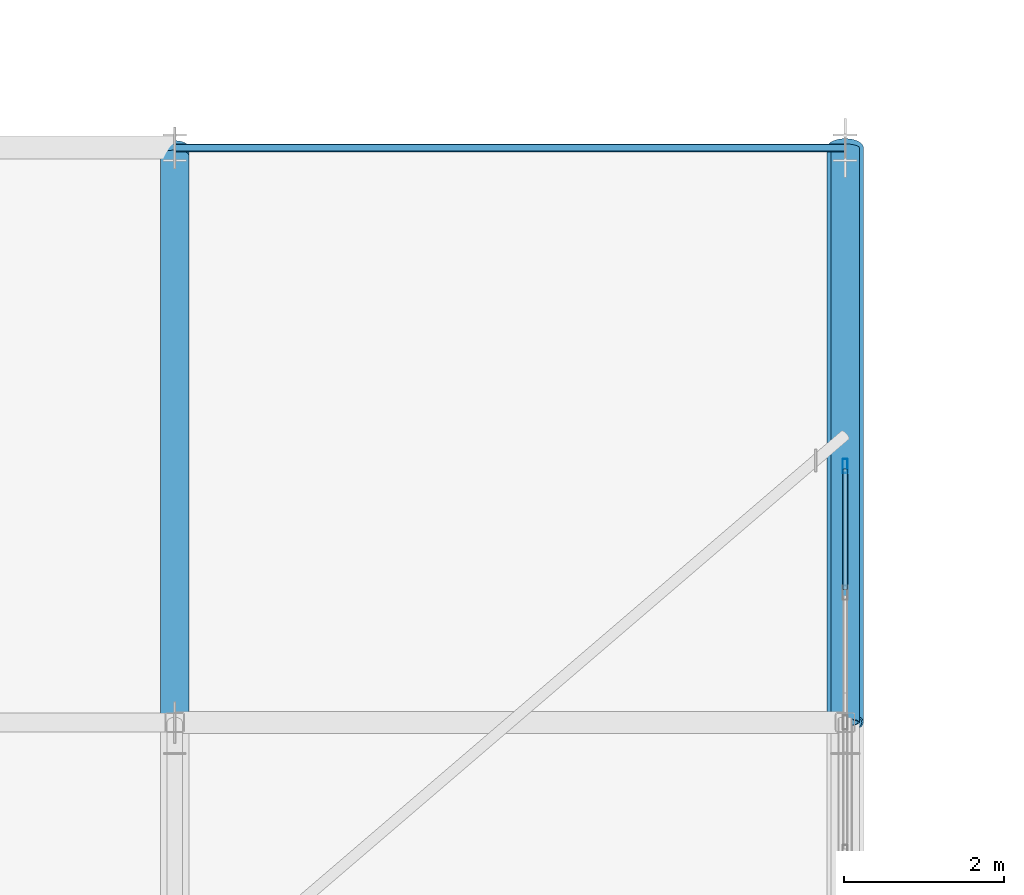
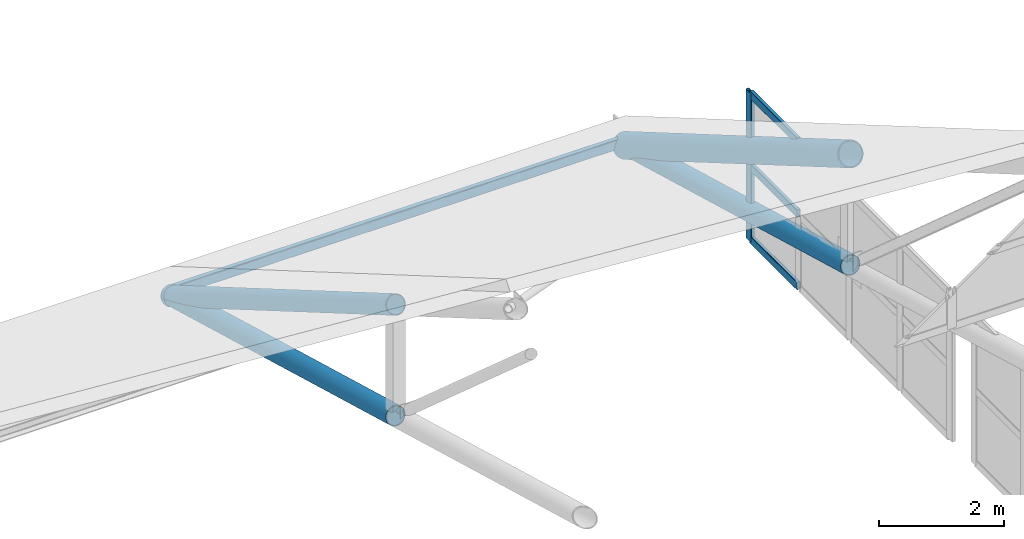
# One storey, part 24 of 54: 9 members, 1 element without a shape of its own.
"""IFC4 building model written with IfcOpenShell, lengths in metres."""

from ifc_helpers import new_model, si_unit, direction, frame, origin, origin_2d, place, context, subcontext, project, spatial, hollow_rectangle, hollow_circle, extrude, material, layer, layer_set, material_profile, profile_set, type_object, element, aggregate, save


model = new_model("IFC4")

# Units and contexts
model_context = context("Model", 3, precision=1e-05, world=origin(), true_north=direction((0.0, 1.0)))
body_context = subcontext(model_context, "Body", "Model", "MODEL_VIEW")
ifc_project = project(units=[si_unit("LENGTHUNIT", "METRE"), si_unit("AREAUNIT", "SQUARE_METRE"), si_unit("VOLUMEUNIT", "CUBIC_METRE"), si_unit("PLANEANGLEUNIT", "RADIAN"), si_unit("MASSUNIT", "GRAM", prefix="KILO")], contexts=[model_context])

# Site, building, storey
site_placement = place(None, origin())
site = spatial("IfcSite", under=ifc_project, at=site_placement, CompositionType="ELEMENT")
building_placement = place(site_placement, origin())
building = spatial("IfcBuilding", under=site, at=building_placement, Name="Zulmaris Art Gallery", CompositionType="ELEMENT")
storey_placement = place(building_placement, frame((0.0, 0.0, 26.39990234375)))
storey = spatial("IfcBuildingStorey", under=building, at=storey_placement, Name="L05", CompositionType="ELEMENT", Elevation=26.39990234375)

# Curtain wall, members
ifc_material_1 = material(Name="Pitched Roof North-Light Clerestory Wall", Category="aluminium")
ifc_layer = layer(ifc_material_1, 0.179931640625)
ifc_layer_set = layer_set([ifc_layer], Name="Pitched Roof North-Light Clerestory Wall")
curtain_wall_type = type_object("IfcCurtainWallType", Name="CW-CW05", PredefinedType="NOTDEFINED", material=ifc_layer_set)
curtain_wall_placement = place(storey_placement, origin())
curtain_wall = element("IfcCurtainWall", 1, at=curtain_wall_placement, inside=storey, type_object=curtain_wall_type, Name="L05 curtain wall 43", PredefinedType="NOTDEFINED")
ifc_material_2 = material(Name="Anodised Bronze Aluminium", Category="aluminium")
ifc_material_profile_1 = material_profile(ifc_material_2, hollow_rectangle(XDim=0.06494140625, YDim=0.179931640625, WallThickness=0.00390625, InnerFilletRadius=0.006103515625, OuterFilletRadius=0.010009765625, at=origin_2d()), Name="ALU 65x180x4")
ifc_profile_set_1 = profile_set([ifc_material_profile_1], Name="Anodised Bronze Aluminium")
member_type_1 = type_object("IfcMemberType", Name="CWMUL-01", PredefinedType="MULLION", material=ifc_profile_set_1)
member_1_placement = place(storey_placement, frame((82.800048828125, 46.41259765625, 0.0), z_axis=(0.0, 0.0, 1.0), x_axis=(-1.0, 0.0, 0.0)))
member_1 = element("IfcMember", 2, at=member_1_placement, type_object=member_type_1, Name="CW05 mullion 5", PredefinedType="MULLION", context=body_context, shape_type="SweptSolid", body=[
    extrude(hollow_rectangle(XDim=0.06494140625, YDim=0.179931640625, WallThickness=0.00390625, InnerFilletRadius=0.006103515625, OuterFilletRadius=0.010009765625, at=origin_2d()), origin(), (0.0, 0.0, 1.0), 2.900146484375),
])
ifc_material_profile_2 = material_profile(ifc_material_2, hollow_rectangle(XDim=0.06494140625, YDim=0.14990234375, WallThickness=0.00390625, InnerFilletRadius=0.006103515625, OuterFilletRadius=0.010009765625, at=origin_2d()), Name="ALU 65x150x4")
ifc_profile_set_2 = profile_set([ifc_material_profile_2], Name="Anodised Bronze Aluminium")
member_type_2 = type_object("IfcMemberType", Name="CWTRN-01", PredefinedType="USERDEFINED", material=ifc_profile_set_2)
member_2_placement = place(storey_placement, frame((82.800048828125, 44.862548828125, 0.03759765625), z_axis=(0.0, 1.0, 0.0), x_axis=(-1.0, 0.0, 0.0)))
member_2 = element("IfcMember", 3, at=member_2_placement, type_object=member_type_2, Name="CW05 transom 4.1", ObjectType="TRANSOM", PredefinedType="USERDEFINED", context=body_context, shape_type="SweptSolid", body=[
    extrude(hollow_rectangle(XDim=0.06494140625, YDim=0.14990234375, WallThickness=0.00390625, InnerFilletRadius=0.006103515625, OuterFilletRadius=0.010009765625, at=origin_2d()), origin(), (0.0, 0.0, 1.0), 1.512451171875),
])
member_3_placement = place(storey_placement, frame((82.800048828125, 44.862548828125, 1.4501953125), z_axis=(0.0, 1.0, 0.0), x_axis=(-1.0, 0.0, 0.0)))
member_3 = element("IfcMember", 4, at=member_3_placement, type_object=member_type_2, Name="CW05 transom 4.2", ObjectType="TRANSOM", PredefinedType="USERDEFINED", context=body_context, shape_type="SweptSolid", body=[
    extrude(hollow_rectangle(XDim=0.06494140625, YDim=0.14990234375, WallThickness=0.00390625, InnerFilletRadius=0.006103515625, OuterFilletRadius=0.010009765625, at=origin_2d()), origin(), (0.0, 0.0, 1.0), 1.512451171875),
])
member_4_placement = place(storey_placement, frame((82.800048828125, 44.862548828125, 2.862548828125), z_axis=(0.0, 1.0, 0.0), x_axis=(-1.0, 0.0, 0.0)))
member_4 = element("IfcMember", 5, at=member_4_placement, type_object=member_type_2, Name="CW05 transom 4.3", ObjectType="TRANSOM", PredefinedType="USERDEFINED", context=body_context, shape_type="SweptSolid", body=[
    extrude(hollow_rectangle(XDim=0.06494140625, YDim=0.14990234375, WallThickness=0.00390625, InnerFilletRadius=0.006103515625, OuterFilletRadius=0.010009765625, at=origin_2d()), origin(), (0.0, 0.0, 1.0), 1.512451171875),
])
aggregate(curtain_wall, [member_1, member_2, member_3, member_4])

# Members
ifc_material_3 = material(Name="Steel S355J2H", Category="steel")
ifc_material_profile_3 = material_profile(ifc_material_3, hollow_rectangle(XDim=0.10009765625, YDim=0.199951171875, WallThickness=0.008056640625, InnerFilletRadius=0.011962890625, OuterFilletRadius=0.02001953125, at=origin_2d()), Name="RHS 200x100x8")
ifc_profile_set_3 = profile_set([ifc_material_profile_3], Name="Steel S355J2H")
member_type_3 = type_object("IfcMemberType", Name="MEM-PR01", PredefinedType="PURLIN", material=ifc_profile_set_3)
member_5_placement = place(storey_placement, frame((74.39990234375, 50.39990234375, -0.47998046875), z_axis=(1.0, 0.0, 0.0), x_axis=(0.0, 1.0, 0.0)))
element("IfcMember", 6, at=member_5_placement, inside=storey, type_object=member_type_3, Name="Skylight roof purlin bay 9 line 5", PredefinedType="PURLIN", context=body_context, shape_type="SweptSolid", body=[
    extrude(hollow_rectangle(XDim=0.10009765625, YDim=0.199951171875, WallThickness=0.008056640625, InnerFilletRadius=0.011962890625, OuterFilletRadius=0.02001953125, at=origin_2d()), origin(), (0.0, 0.0, 1.0), 8.400146484375),
])
ifc_material_profile_4 = material_profile(ifc_material_3, hollow_circle(Radius=0.177734375, WallThickness=0.01611328125, at=origin_2d()), Name="CHS 355.6x16")
ifc_profile_set_4 = profile_set([ifc_material_profile_4], Name="Steel S355J2H")
member_type_4 = type_object("IfcMemberType", Name="MEM-TC01", PredefinedType="CHORD", material=ifc_profile_set_4)
member_6_placement = place(storey_placement, frame((74.39990234375, 43.199951171875, 3.6201171875), z_axis=(0.0, 0.863779963214, -0.503869204407), x_axis=(-1.0, 0.0, 0.0)))
element("IfcMember", 7, at=member_6_placement, inside=storey, type_object=member_type_4, Name="Pitched gallery truss TR-R09 top chord 4", PredefinedType="CHORD", context=body_context, shape_type="SweptSolid", body=[
    extrude(hollow_circle(Radius=0.177734375, WallThickness=0.01611328125, at=origin_2d()), origin(), (0.0, 0.0, 1.0), 8.33544921875),
])
for number, where, z_axis, x_axis, name in (
    (8, (74.39990234375, 43.199951171875, 1.4501953125), (0.0, 0.963517441554, -0.267645548853), (-1.0, 0.0, 0.0), "Pitched gallery truss TR-R09 bottom chord 4"),
    (9, (82.800048828125, 43.199951171875, 1.4501953125), (0.0, 0.963517441554, -0.267645548853), (-1.0, 0.0, 0.0), "Pitched gallery truss TR-R10 bottom chord 4"),
):
    element("IfcMember", number, at=place(storey_placement, frame(where, z_axis=z_axis, x_axis=x_axis)), inside=storey, type_object=member_type_4, Name=name, PredefinedType="CHORD", context=body_context, shape_type="SweptSolid", body=[
        extrude(hollow_circle(Radius=0.177734375, WallThickness=0.01611328125, at=origin_2d()), origin(), (0.0, 0.0, 1.0), 7.47265625),
    ])
ifc_material_profile_5 = material_profile(ifc_material_3, hollow_circle(Radius=0.228515625, WallThickness=0.02001953125, at=origin_2d()), Name="CHS 457x20")
ifc_profile_set_5 = profile_set([ifc_material_profile_5], Name="Steel S355J2H")
member_type_5 = type_object("IfcMemberType", Name="MEM-TC03", PredefinedType="CHORD", material=ifc_profile_set_5)
member_7_placement = place(storey_placement, frame((82.800048828125, 43.199951171875, 3.6201171875), z_axis=(0.0, 0.863779963214, -0.503869204407), x_axis=(-1.0, 0.0, 0.0)))
element("IfcMember", 10, at=member_7_placement, inside=storey, type_object=member_type_5, Name="Pitched gallery truss TR-R10 top chord 4", PredefinedType="CHORD", context=body_context, shape_type="SweptSolid", body=[
    extrude(hollow_circle(Radius=0.228515625, WallThickness=0.02001953125, at=origin_2d()), origin(), (0.0, 0.0, 1.0), 8.33544921875),
])

save(model, "model.ifc")
